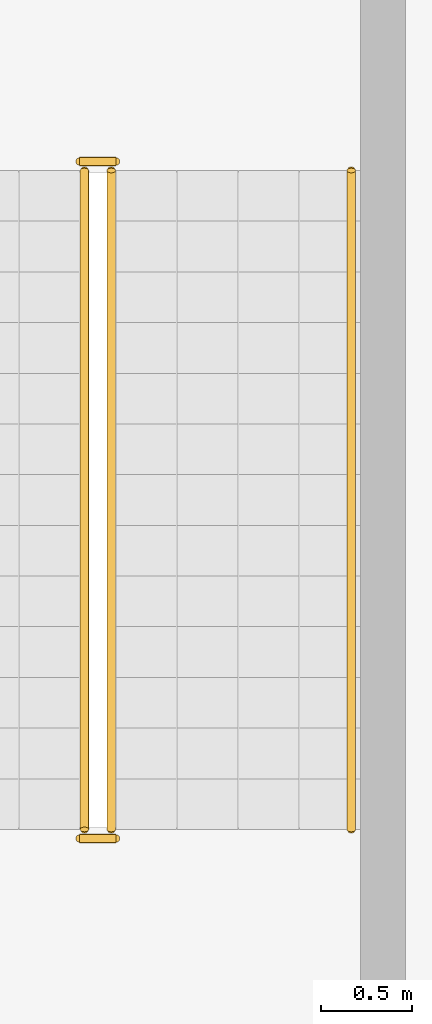
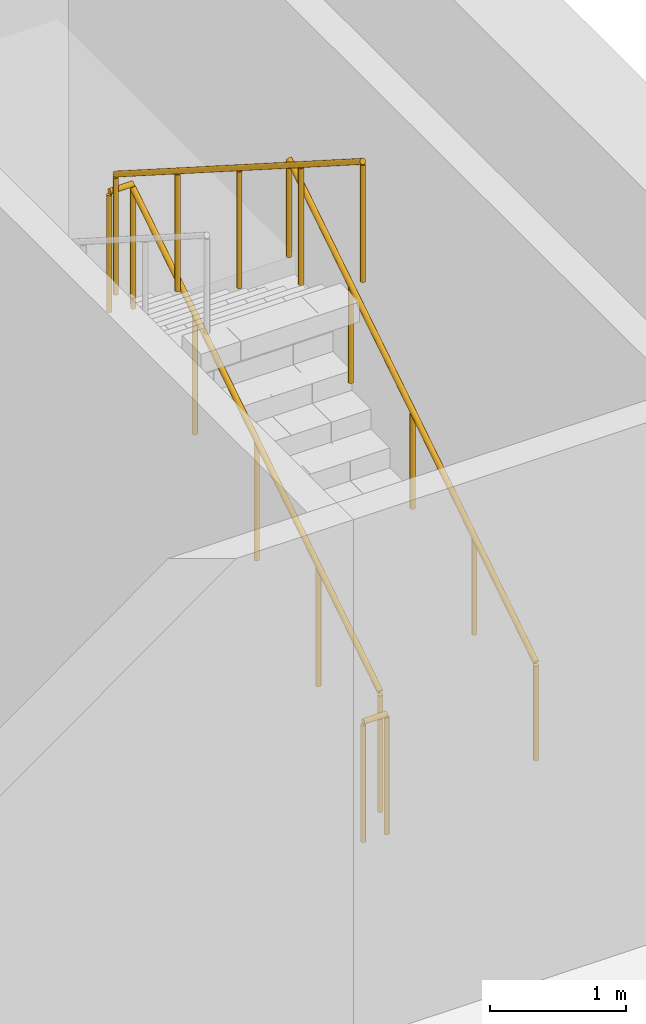
# One storey, part 17 of 18: 5 railings.
"""IFC4 building model written with IfcOpenShell, lengths in metres."""

from ifc_helpers import new_model, si_unit, direction, frame, origin, origin_2d, place, context, subcontext, project, spatial, circle, extrude, material, type_object, element, save


model = new_model("IFC4")

# Units and contexts
model_context = context("Model", 3, precision=1e-05, world=origin(), true_north=direction((0.0, 1.0)))
body_context = subcontext(model_context, "Body", "Model", "MODEL_VIEW")
ifc_project = project(units=[si_unit("LENGTHUNIT", "METRE"), si_unit("AREAUNIT", "SQUARE_METRE"), si_unit("VOLUMEUNIT", "CUBIC_METRE"), si_unit("PLANEANGLEUNIT", "RADIAN"), si_unit("MASSUNIT", "GRAM", prefix="KILO")], contexts=[model_context])

# Site, building, storey
site_placement = place(None, origin())
site = spatial("IfcSite", under=ifc_project, at=site_placement, CompositionType="ELEMENT")
building_placement = place(site_placement, origin())
building = spatial("IfcBuilding", under=site, at=building_placement, Name="Cantera Rosa Tower", CompositionType="ELEMENT")
storey_placement = place(building_placement, frame((0.0, 0.0, 17.0)))
storey = spatial("IfcBuildingStorey", under=building, at=storey_placement, Name="L02", CompositionType="ELEMENT", Elevation=17.0)

# Railings
ifc_material_1 = material(Name="Steel S355J2 (EN 10025-2)", Category="steel")
railing_type_1 = type_object("IfcRailingType", Name="STAIR GUARD 1100", PredefinedType="GUARDRAIL", material=ifc_material_1)
railing_1_placement = place(storey_placement, frame((30.799072265625, 21.125, 0.178466796875)))
element("IfcRailing", 1, at=railing_1_placement, inside=storey, type_object=railing_type_1, Name="L02 ST-NE stair guard 1", PredefinedType="GUARDRAIL", context=body_context, shape_type="SweptSolid", body=[
    extrude(circle(Radius=0.02392578125, at=origin_2d()), frame((0.0, 0.0, 1.076171875), z_axis=(0.0, 0.843111507901, 0.53773877045), x_axis=(-1.0, 0.0, 0.0)), (0.0, 0.0, 1.0), 4.317138671875),
    extrude(circle(Radius=0.02099609375, at=origin_2d()), origin(), (0.0, 0.0, 1.0), 1.052001953125),
    extrude(circle(Radius=0.02099609375, at=origin_2d()), frame((0.0, 0.909912109375, 0.580322265625)), (0.0, 0.0, 1.0), 1.052001953125),
    extrude(circle(Radius=0.02099609375, at=origin_2d()), frame((0.0, 1.81982421875, 1.16064453125)), (0.0, 0.0, 1.0), 1.052001953125),
    extrude(circle(Radius=0.02099609375, at=origin_2d()), frame((0.0, 2.72998046875, 1.7412109375)), (0.0, 0.0, 1.0), 1.052001953125),
    extrude(circle(Radius=0.02099609375, at=origin_2d()), frame((0.0, 3.639892578125, 2.321533203125)), (0.0, 0.0, 1.0), 1.052001953125),
])
railing_2_placement = place(storey_placement, frame((30.824951171875, 24.81494140625, 2.5)))
element("IfcRailing", 2, at=railing_2_placement, inside=storey, type_object=railing_type_1, Name="L02 ST-NE stair guard 2", PredefinedType="GUARDRAIL", context=body_context, shape_type="SweptSolid", body=[
    extrude(circle(Radius=0.02392578125, at=origin_2d()), frame((0.0, 0.0, 1.076171875), z_axis=(-1.0, 0.0, 0.0), x_axis=(0.0, -1.0, 0.0)), (0.0, 0.0, 1.0), 0.199951171875),
    extrude(circle(Radius=0.02099609375, at=origin_2d()), origin(), (0.0, 0.0, 1.0), 1.052001953125),
    extrude(circle(Radius=0.02099609375, at=origin_2d()), frame((-0.199951171875, 0.0, 0.0)), (0.0, 0.0, 1.0), 1.052001953125),
])
railing_3_placement = place(storey_placement, frame((30.65087890625, 24.764892578125, 2.678466796875)))
element("IfcRailing", 3, at=railing_3_placement, inside=storey, type_object=railing_type_1, Name="L02 ST-NE stair guard 3", PredefinedType="GUARDRAIL", context=body_context, shape_type="SweptSolid", body=[
    extrude(circle(Radius=0.02392578125, at=origin_2d()), frame((0.0, 0.0, 1.076171875), z_axis=(0.0, -0.843111507901, 0.53773877045), x_axis=(1.0, 0.0, 0.0)), (0.0, 0.0, 1.0), 4.317138671875),
    extrude(circle(Radius=0.02099609375, at=origin_2d()), origin(), (0.0, 0.0, 1.0), 1.052001953125),
    extrude(circle(Radius=0.02099609375, at=origin_2d()), frame((0.0, -0.909912109375, 0.580322265625)), (0.0, 0.0, 1.0), 1.052001953125),
    extrude(circle(Radius=0.02099609375, at=origin_2d()), frame((0.0, -1.81982421875, 1.16064453125)), (0.0, 0.0, 1.0), 1.052001953125),
    extrude(circle(Radius=0.02099609375, at=origin_2d()), frame((0.0, -2.72998046875, 1.7412109375)), (0.0, 0.0, 1.0), 1.052001953125),
    extrude(circle(Radius=0.02099609375, at=origin_2d()), frame((0.0, -3.639892578125, 2.321533203125)), (0.0, 0.0, 1.0), 1.052001953125),
])
railing_4_placement = place(storey_placement, frame((30.824951171875, 21.074951171875, 0.0)))
element("IfcRailing", 4, at=railing_4_placement, inside=storey, type_object=railing_type_1, Name="L02 ST-NE stair guard 4", PredefinedType="GUARDRAIL", context=body_context, shape_type="SweptSolid", body=[
    extrude(circle(Radius=0.02392578125, at=origin_2d()), frame((0.0, 0.0, 1.076171875), z_axis=(-1.0, 0.0, 0.0), x_axis=(0.0, -1.0, 0.0)), (0.0, 0.0, 1.0), 0.199951171875),
    extrude(circle(Radius=0.02099609375, at=origin_2d()), origin(), (0.0, 0.0, 1.0), 1.052001953125),
    extrude(circle(Radius=0.02099609375, at=origin_2d()), frame((-0.199951171875, 0.0, 0.0)), (0.0, 0.0, 1.0), 1.052001953125),
])
ifc_material_2 = material(Name="Steel S355J2 (EN 10025-2)", Category="steel")
railing_type_2 = type_object("IfcRailingType", Name="STAIR HANDRAIL 900", PredefinedType="HANDRAIL", material=ifc_material_2)
railing_5_placement = place(storey_placement, frame((32.125, 21.125, 0.178466796875)))
element("IfcRailing", 5, at=railing_5_placement, inside=storey, type_object=railing_type_2, Name="L02 ST-NE stair handrail 1", PredefinedType="HANDRAIL", context=body_context, shape_type="SweptSolid", body=[
    extrude(circle(Radius=0.02392578125, at=origin_2d()), frame((0.0, 0.0, 0.8759765625), z_axis=(0.0, 0.843111507901, 0.53773877045), x_axis=(-1.0, 0.0, 0.0)), (0.0, 0.0, 1.0), 4.317138671875),
    extrude(circle(Radius=0.02099609375, at=origin_2d()), origin(), (0.0, 0.0, 1.0), 0.851806640625),
    extrude(circle(Radius=0.02099609375, at=origin_2d()), frame((0.0, 0.909912109375, 0.580322265625)), (0.0, 0.0, 1.0), 0.851806640625),
    extrude(circle(Radius=0.02099609375, at=origin_2d()), frame((0.0, 1.81982421875, 1.16064453125)), (0.0, 0.0, 1.0), 0.851806640625),
    extrude(circle(Radius=0.02099609375, at=origin_2d()), frame((0.0, 2.72998046875, 1.7412109375)), (0.0, 0.0, 1.0), 0.851806640625),
    extrude(circle(Radius=0.02099609375, at=origin_2d()), frame((0.0, 3.639892578125, 2.321533203125)), (0.0, 0.0, 1.0), 0.851806640625),
])

save(model, "model.ifc")
